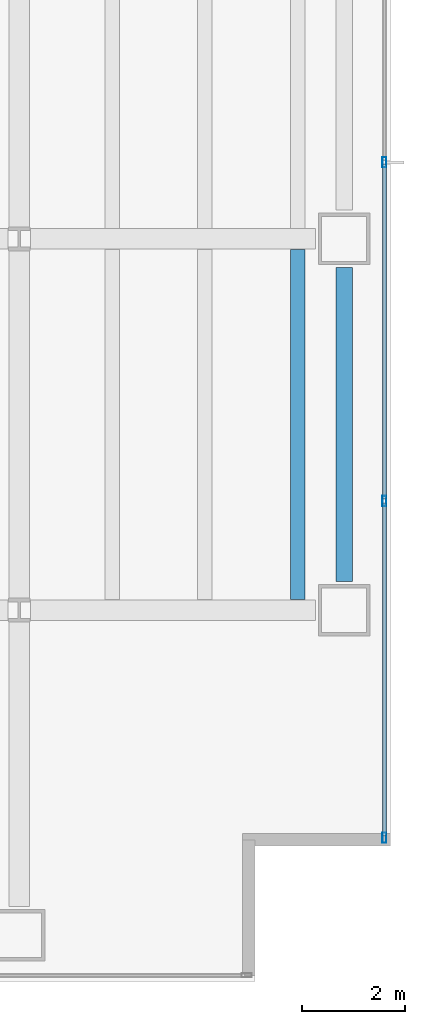
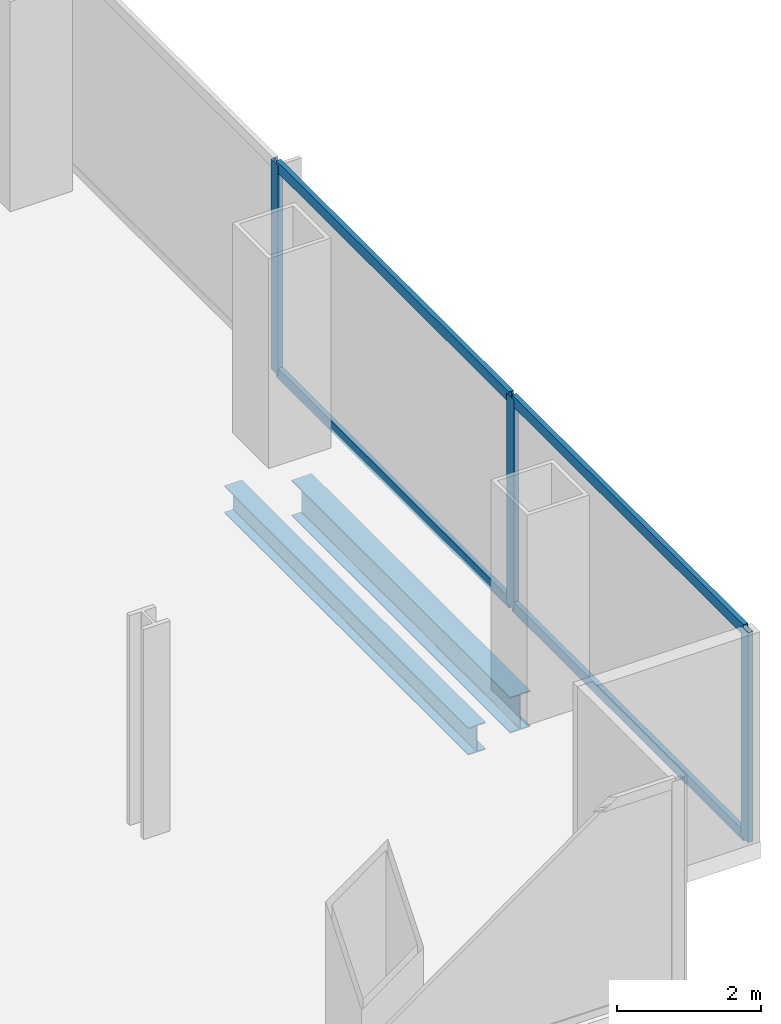
# One storey, part 10 of 25: 7 members, 2 beams, 1 element without a shape of its own.
"""IFC4 building model written with IfcOpenShell, lengths in metres."""

from ifc_helpers import new_model, si_unit, direction, frame, origin, origin_2d, place, context, subcontext, project, spatial, hollow_rectangle, i_section, extrude, material, material_profile, profile_set, type_object, element, aggregate, save


model = new_model("IFC4")

# Units and contexts
model_context = context("Model", 3, precision=1e-05, world=origin(), true_north=direction((0.0, 1.0)))
body_context = subcontext(model_context, "Body", "Model", "MODEL_VIEW")
ifc_project = project(units=[si_unit("LENGTHUNIT", "METRE"), si_unit("AREAUNIT", "SQUARE_METRE"), si_unit("VOLUMEUNIT", "CUBIC_METRE"), si_unit("PLANEANGLEUNIT", "RADIAN"), si_unit("MASSUNIT", "GRAM", prefix="KILO")], contexts=[model_context])

# Site, building, storey
site_placement = place(None, origin())
site = spatial("IfcSite", under=ifc_project, at=site_placement, CompositionType="ELEMENT")
building_placement = place(site_placement, origin())
building = spatial("IfcBuilding", under=site, at=building_placement, Name="Cobrela Telecom Tower", CompositionType="ELEMENT")
storey_placement = place(building_placement, frame((0.0, 0.0, 46.550048828125)))
storey = spatial("IfcBuildingStorey", under=building, at=storey_placement, Name="L11", CompositionType="ELEMENT", Elevation=46.550048828125)

# Beams
ifc_material_1 = material(Name="Steel ASTM A992 Grade 50", Category="steel")
ifc_material_profile_1 = material_profile(ifc_material_1, i_section(OverallWidth=0.281982421875, OverallDepth=0.467041015625, WebThickness=0.01220703125, FlangeThickness=0.01953125, FilletRadius=0.012939453125, at=origin_2d()), Name="W18X86")
ifc_profile_set_1 = profile_set([ifc_material_profile_1], Name="Steel ASTM A992 Grade 50")
beam_type_1 = type_object("IfcBeamType", Name="BM-JOIST-02", PredefinedType="JOIST", material=ifc_profile_set_1)
beam_1_placement = place(storey_placement, frame((48.60009765625, 7.404541015625, -0.513427734375), z_axis=(0.0, 1.0, 0.0), x_axis=(-1.0, 0.0, 0.0)))
element("IfcBeam", 1, at=beam_1_placement, inside=storey, type_object=beam_type_1, Name="L11 Secondary Composite Floor Beam J63", PredefinedType="JOIST", context=body_context, shape_type="SweptSolid", body=[
    extrude(i_section(OverallWidth=0.281982421875, OverallDepth=0.467041015625, WebThickness=0.01220703125, FlangeThickness=0.01953125, FilletRadius=0.012939453125, at=origin_2d()), origin(), (0.0, 0.0, 1.0), 6.791015625),
])
ifc_material_profile_2 = material_profile(ifc_material_1, i_section(OverallWidth=0.324951171875, OverallDepth=0.612060546875, WebThickness=0.0126953125, FlangeThickness=0.01904296875, FilletRadius=0.014892578125, at=origin_2d()), Name="W24X104")
ifc_profile_set_2 = profile_set([ifc_material_profile_2], Name="Steel ASTM A992 Grade 50")
beam_type_2 = type_object("IfcBeamType", Name="BM-SPAND-02", PredefinedType="SPANDREL", material=ifc_profile_set_2)
beam_2_placement = place(storey_placement, frame((49.5, 7.7548828125, -0.5859375), z_axis=(0.0, 1.0, 0.0), x_axis=(-1.0, 0.0, 0.0)))
element("IfcBeam", 2, at=beam_2_placement, inside=storey, type_object=beam_type_2, Name="L11 Perimeter Spandrel Y56", PredefinedType="SPANDREL", context=body_context, shape_type="SweptSolid", body=[
    extrude(i_section(OverallWidth=0.324951171875, OverallDepth=0.612060546875, WebThickness=0.0126953125, FlangeThickness=0.01904296875, FilletRadius=0.014892578125, at=origin_2d()), origin(), (0.0, 0.0, 1.0), 6.090087890625),
])

# Curtain wall, members
ifc_material_2 = material(Name="Anodized Bronze Aluminium 6063-T6", Category="aluminium")
curtain_wall_type = type_object("IfcCurtainWallType", Name="CW-SYS-DATA", PredefinedType="USERDEFINED", material=ifc_material_2)
curtain_wall_placement = place(storey_placement, origin())
curtain_wall = element("IfcCurtainWall", 3, at=curtain_wall_placement, inside=storey, type_object=curtain_wall_type, Name="L11 Unitised Bronze Curtain Wall 14", ObjectType="UNITISED CURTAIN WALL", PredefinedType="USERDEFINED")
ifc_material_profile_3 = material_profile(ifc_material_2, hollow_rectangle(XDim=0.080078125, YDim=0.199951171875, WallThickness=0.00390625, at=origin_2d()), Name="ALU 80x200x4")
ifc_profile_set_3 = profile_set([ifc_material_profile_3], Name="Anodized Bronze Aluminium 6063-T6")
member_type_1 = type_object("IfcMemberType", Name="CW-SYS-DATA-MUL", PredefinedType="MULLION", material=ifc_profile_set_3)
member_1_placement = place(storey_placement, frame((50.280029296875, 15.88330078125, 0.0), z_axis=(0.0, 0.0, 1.0), x_axis=(1.0, 0.0, 0.0)))
member_1 = element("IfcMember", 4, at=member_1_placement, type_object=member_type_1, Name="CW-DATA mullion 2", PredefinedType="MULLION", context=body_context, shape_type="SweptSolid", body=[
    extrude(hollow_rectangle(XDim=0.080078125, YDim=0.199951171875, WallThickness=0.00390625, at=origin_2d()), origin(), (0.0, 0.0, 1.0), 3.570068359375),
])
member_2_placement = place(storey_placement, frame((50.280029296875, 9.316650390625, 0.0), z_axis=(0.0, 0.0, 1.0), x_axis=(1.0, 0.0, 0.0)))
member_2 = element("IfcMember", 5, at=member_2_placement, type_object=member_type_1, Name="CW-DATA mullion 3", PredefinedType="MULLION", context=body_context, shape_type="SweptSolid", body=[
    extrude(hollow_rectangle(XDim=0.080078125, YDim=0.199951171875, WallThickness=0.00390625, at=origin_2d()), origin(), (0.0, 0.0, 1.0), 3.570068359375),
])
member_3_placement = place(storey_placement, frame((50.280029296875, 2.7900390625, 0.0), z_axis=(0.0, 0.0, 1.0), x_axis=(1.0, 0.0, 0.0)))
member_3 = element("IfcMember", 6, at=member_3_placement, type_object=member_type_1, Name="CW-DATA mullion 4", PredefinedType="MULLION", context=body_context, shape_type="SweptSolid", body=[
    extrude(hollow_rectangle(XDim=0.080078125, YDim=0.199951171875, WallThickness=0.00390625, at=origin_2d()), origin(), (0.0, 0.0, 1.0), 3.570068359375),
])
ifc_material_profile_4 = material_profile(ifc_material_2, hollow_rectangle(XDim=0.074951171875, YDim=0.179931640625, WallThickness=0.00390625, at=origin_2d()), Name="ALU 75x180x4")
ifc_profile_set_4 = profile_set([ifc_material_profile_4], Name="Anodized Bronze Aluminium 6063-T6")
member_type_2 = type_object("IfcMemberType", Name="CW-SYS-DATA-TRN", PredefinedType="USERDEFINED", material=ifc_profile_set_4)
member_4_placement = place(storey_placement, frame((50.280029296875, 15.84326171875, 0.037353515625), z_axis=(0.0, -1.0, 0.0), x_axis=(1.0, 0.0, 0.0)))
member_4 = element("IfcMember", 7, at=member_4_placement, type_object=member_type_2, Name="CW-DATA transom 2.1", ObjectType="TRANSOM", PredefinedType="USERDEFINED", context=body_context, shape_type="SweptSolid", body=[
    extrude(hollow_rectangle(XDim=0.074951171875, YDim=0.179931640625, WallThickness=0.00390625, at=origin_2d()), origin(), (0.0, 0.0, 1.0), 6.486572265625),
])
member_5_placement = place(storey_placement, frame((50.280029296875, 15.84326171875, 3.532470703125), z_axis=(0.0, -1.0, 0.0), x_axis=(1.0, 0.0, 0.0)))
member_5 = element("IfcMember", 8, at=member_5_placement, type_object=member_type_2, Name="CW-DATA transom 2.2", ObjectType="TRANSOM", PredefinedType="USERDEFINED", context=body_context, shape_type="SweptSolid", body=[
    extrude(hollow_rectangle(XDim=0.074951171875, YDim=0.179931640625, WallThickness=0.00390625, at=origin_2d()), origin(), (0.0, 0.0, 1.0), 6.486572265625),
])
member_6_placement = place(storey_placement, frame((50.280029296875, 9.276611328125, 0.037353515625), z_axis=(0.0, -1.0, 0.0), x_axis=(1.0, 0.0, 0.0)))
member_6 = element("IfcMember", 9, at=member_6_placement, type_object=member_type_2, Name="CW-DATA transom 3.1", ObjectType="TRANSOM", PredefinedType="USERDEFINED", context=body_context, shape_type="SweptSolid", body=[
    extrude(hollow_rectangle(XDim=0.074951171875, YDim=0.179931640625, WallThickness=0.00390625, at=origin_2d()), origin(), (0.0, 0.0, 1.0), 6.446533203125),
])
member_7_placement = place(storey_placement, frame((50.280029296875, 9.276611328125, 3.532470703125), z_axis=(0.0, -1.0, 0.0), x_axis=(1.0, 0.0, 0.0)))
member_7 = element("IfcMember", 10, at=member_7_placement, type_object=member_type_2, Name="CW-DATA transom 3.2", ObjectType="TRANSOM", PredefinedType="USERDEFINED", context=body_context, shape_type="SweptSolid", body=[
    extrude(hollow_rectangle(XDim=0.074951171875, YDim=0.179931640625, WallThickness=0.00390625, at=origin_2d()), origin(), (0.0, 0.0, 1.0), 6.446533203125),
])
aggregate(curtain_wall, [member_1, member_2, member_3, member_4, member_5, member_6, member_7])

save(model, "model.ifc")
